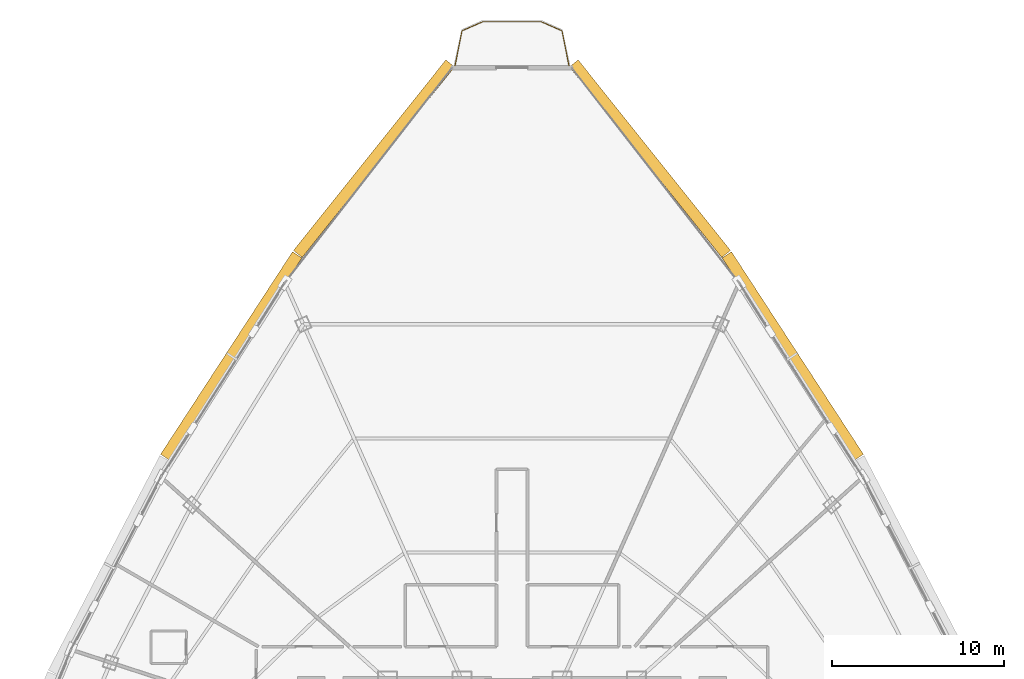
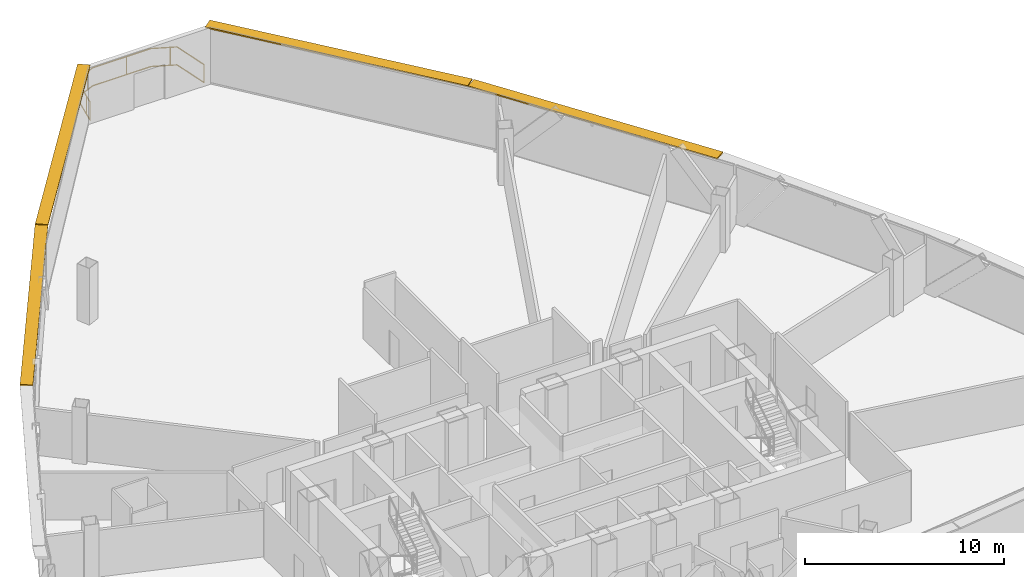
# One storey, part 40 of 40: 4 shading devices, 1 railing.
"""IFC4 building model written with IfcOpenShell, lengths in metres."""

from ifc_helpers import new_model, si_unit, direction, frame, origin, origin_2d, place, context, subcontext, project, spatial, rectangle, extrude, source, transform, mapped, material, layer, layer_set, type_object, element, save


model = new_model("IFC4")

# Units and contexts
model_context = context("Model", 3, precision=1e-05, world=origin(), true_north=direction((0.0, 1.0)))
body_context = subcontext(model_context, "Body", "Model", "MODEL_VIEW")
ifc_project = project(units=[si_unit("LENGTHUNIT", "METRE"), si_unit("AREAUNIT", "SQUARE_METRE"), si_unit("VOLUMEUNIT", "CUBIC_METRE"), si_unit("PLANEANGLEUNIT", "RADIAN"), si_unit("MASSUNIT", "GRAM", prefix="KILO"), si_unit("THERMODYNAMICTEMPERATUREUNIT", "KELVIN"), si_unit("POWERUNIT", "WATT")], contexts=[model_context])

# Site, building, storey
site_placement = place(None, origin())
site = spatial("IfcSite", under=ifc_project, at=site_placement, CompositionType="ELEMENT")
building_placement = place(site_placement, origin())
building = spatial("IfcBuilding", under=site, at=building_placement, Name="Yunzhuo Pagoda Commons", CompositionType="ELEMENT")
storey_placement = place(building_placement, frame((0.0, 0.0, 288.75)))
storey = spatial("IfcBuildingStorey", under=building, at=storey_placement, Name="L72", CompositionType="ELEMENT", Elevation=288.75)

# Railing
ifc_material = material(Name="Anodized aluminium 6063-T6", Category="aluminium")
railing_type = type_object("IfcRailingType", Name="RL-BAL1 Exterior Terrace & Balcony Balustrade 1150", PredefinedType="BALUSTRADE", material=ifc_material)
railing_placement = place(storey_placement, frame((51.304931640625, 75.920166015625, 0.0)))
element("IfcRailing", 1, at=railing_placement, inside=storey, type_object=railing_type, Name="L72 corner balcony balustrade V3", PredefinedType="BALUSTRADE", context=body_context, shape_type="SweptSolid", body=[
    extrude(rectangle(XDim=0.048095703125, YDim=0.048095703125, at=origin_2d()), frame((0.0, 0.0, 1.1259765625), z_axis=(-0.194200568098, 0.980961843983, 0.0), x_axis=(-0.980961843983, -0.194200568098, 0.0)), (0.0, 0.0, 1.0), 2.059326171875),
    extrude(rectangle(XDim=0.048095703125, YDim=0.048095703125, at=origin_2d()), frame((0.0, 0.0, 0.02392578125), z_axis=(-0.194200568098, 0.980961843983, 0.0), x_axis=(-0.980961843983, -0.194200568098, 0.0)), (0.0, 0.0, 1.0), 2.059326171875),
    extrude(rectangle(XDim=0.048095703125, YDim=0.048095703125, at=origin_2d()), frame((-0.39990234375, 2.02001953125, 1.1259765625), z_axis=(-0.916296997847, 0.400499452854, 0.0), x_axis=(-0.400499452854, -0.916296997847, 0.0)), (0.0, 0.0, 1.0), 1.323486328125),
    extrude(rectangle(XDim=0.048095703125, YDim=0.048095703125, at=origin_2d()), frame((-0.39990234375, 2.02001953125, 0.02392578125), z_axis=(-0.916296997847, 0.400499452854, 0.0), x_axis=(-0.400499452854, -0.916296997847, 0.0)), (0.0, 0.0, 1.0), 1.323486328125),
    extrude(rectangle(XDim=0.048095703125, YDim=0.048095703125, at=origin_2d()), frame((-1.612548828125, 2.550048828125, 1.1259765625), z_axis=(-1.0, 0.0, 0.0), x_axis=(0.0, -1.0, 0.0)), (0.0, 0.0, 1.0), 3.384765625),
    extrude(rectangle(XDim=0.048095703125, YDim=0.048095703125, at=origin_2d()), frame((-1.612548828125, 2.550048828125, 0.02392578125), z_axis=(-1.0, 0.0, 0.0), x_axis=(0.0, -1.0, 0.0)), (0.0, 0.0, 1.0), 3.384765625),
    extrude(rectangle(XDim=0.048095703125, YDim=0.048095703125, at=origin_2d()), frame((-4.997314453125, 2.550048828125, 1.1259765625), z_axis=(-0.916296997847, -0.400499452854, 0.0), x_axis=(0.400499452854, -0.916296997847, 0.0)), (0.0, 0.0, 1.0), 1.323486328125),
    extrude(rectangle(XDim=0.048095703125, YDim=0.048095703125, at=origin_2d()), frame((-4.997314453125, 2.550048828125, 0.02392578125), z_axis=(-0.916296997847, -0.400499452854, 0.0), x_axis=(0.400499452854, -0.916296997847, 0.0)), (0.0, 0.0, 1.0), 1.323486328125),
    extrude(rectangle(XDim=0.048095703125, YDim=0.048095703125, at=origin_2d()), frame((-6.2099609375, 2.02001953125, 1.1259765625), z_axis=(-0.194200568098, -0.980961843983, 0.0), x_axis=(0.980961843983, -0.194200568098, 0.0)), (0.0, 0.0, 1.0), 2.059326171875),
    extrude(rectangle(XDim=0.048095703125, YDim=0.048095703125, at=origin_2d()), frame((-6.2099609375, 2.02001953125, 0.02392578125), z_axis=(-0.194200568098, -0.980961843983, 0.0), x_axis=(0.980961843983, -0.194200568098, 0.0)), (0.0, 0.0, 1.0), 2.059326171875),
    extrude(rectangle(XDim=0.0419921875, YDim=0.0419921875, at=origin_2d()), origin(), (0.0, 0.0, 1.0), 1.101806640625),
    extrude(rectangle(XDim=0.0419921875, YDim=0.0419921875, at=origin_2d()), frame((-0.712158203125, 2.156494140625, 0.0)), (0.0, 0.0, 1.0), 1.101806640625),
    extrude(rectangle(XDim=0.0419921875, YDim=0.0419921875, at=origin_2d()), frame((-3.02978515625, 2.550048828125, 0.0)), (0.0, 0.0, 1.0), 1.101806640625),
    extrude(rectangle(XDim=0.0419921875, YDim=0.0419921875, at=origin_2d()), frame((-5.393798828125, 2.376708984375, 0.0)), (0.0, 0.0, 1.0), 1.101806640625),
    extrude(rectangle(XDim=0.0419921875, YDim=0.0419921875, at=origin_2d()), frame((-6.5029296875, 0.53955078125, 0.0)), (0.0, 0.0, 1.0), 1.101806640625),
    extrude(rectangle(XDim=0.0419921875, YDim=0.0419921875, at=origin_2d()), frame((-6.60986328125, 0.0, 0.0)), (0.0, 0.0, 1.0), 1.101806640625),
])

# Shading devices
ifc_layer = layer(ifc_material, 0.080078125)
ifc_layer_set = layer_set([ifc_layer], Name="Anodized aluminium 6063-T6")
shading_device_type = type_object("IfcShadingDeviceType", Name="SH-SUN1 Pagoda Horizontal Sunshade Eave 650", PredefinedType="USERDEFINED", material=ifc_layer_set)
shared_shape_1 = source(origin(), body_context, "Body", "SweptSolid", [
    extrude(rectangle(XDim=14.165283203125, YDim=0.64990234375, at=origin_2d()), origin(), (0.0, 0.0, 1.0), 0.080078125),
])
for number, where, z_axis, x_axis, name in (
    (2, (56.00830078125, 70.522705078125, 3.389892578125), (0.0, 0.0, 1.0), (-0.624520471688, 0.781008438138, 0.0), "L72 horizontal pagoda sunshade eave F2.4"),
    (3, (39.99169921875, 70.522705078125, 3.389892578125), (0.0, 0.0, 1.0), (-0.624520471688, -0.781008438138, 0.0), "L72 horizontal pagoda sunshade eave F3.1"),
):
    element("IfcShadingDevice", number, at=place(storey_placement, frame(where, z_axis=z_axis, x_axis=x_axis)), inside=storey, type_object=shading_device_type, Name=name, ObjectType="SUNSHADE", PredefinedType="USERDEFINED", context=body_context, shape_type="MappedRepresentation", body=[
        mapped(shared_shape_1, transform((0.0, 0.0, 0.0), scale=1.0)),
    ])
shared_shape_2 = source(origin(), body_context, "Body", "SweptSolid", [
    extrude(rectangle(XDim=14.031005859375, YDim=0.64990234375, at=origin_2d()), origin(), (0.0, 0.0, 1.0), 0.080078125),
])
for number, where, z_axis, x_axis, name in (
    (4, (64.2978515625, 59.061767578125, 3.389892578125), (0.0, 0.0, 1.0), (-0.545853380833, 0.837880711458, 0.0), "L72 horizontal pagoda sunshade eave F2.3"),
    (5, (31.7021484375, 59.061767578125, 3.389892578125), (0.0, 0.0, 1.0), (-0.545853380833, -0.837880711458, 0.0), "L72 horizontal pagoda sunshade eave F3.2"),
):
    element("IfcShadingDevice", number, at=place(storey_placement, frame(where, z_axis=z_axis, x_axis=x_axis)), inside=storey, type_object=shading_device_type, Name=name, ObjectType="SUNSHADE", PredefinedType="USERDEFINED", context=body_context, shape_type="MappedRepresentation", body=[
        mapped(shared_shape_2, transform((0.0, 0.0, 0.0), scale=1.0)),
    ])

save(model, "model.ifc")
